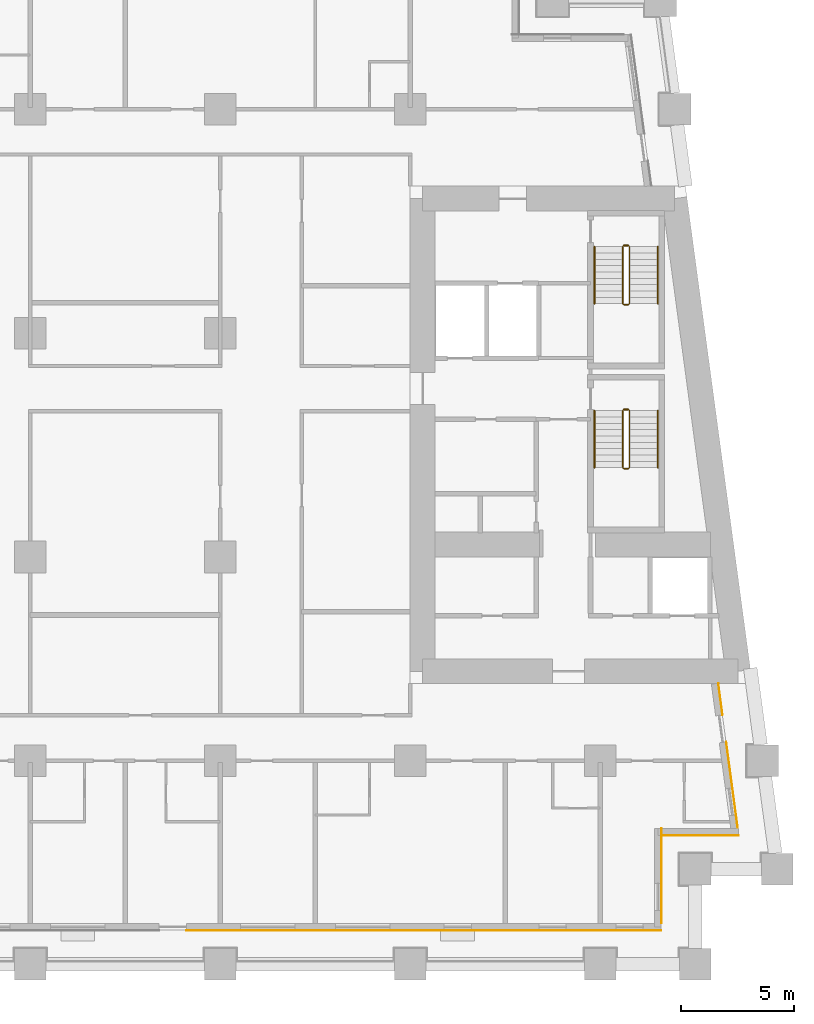
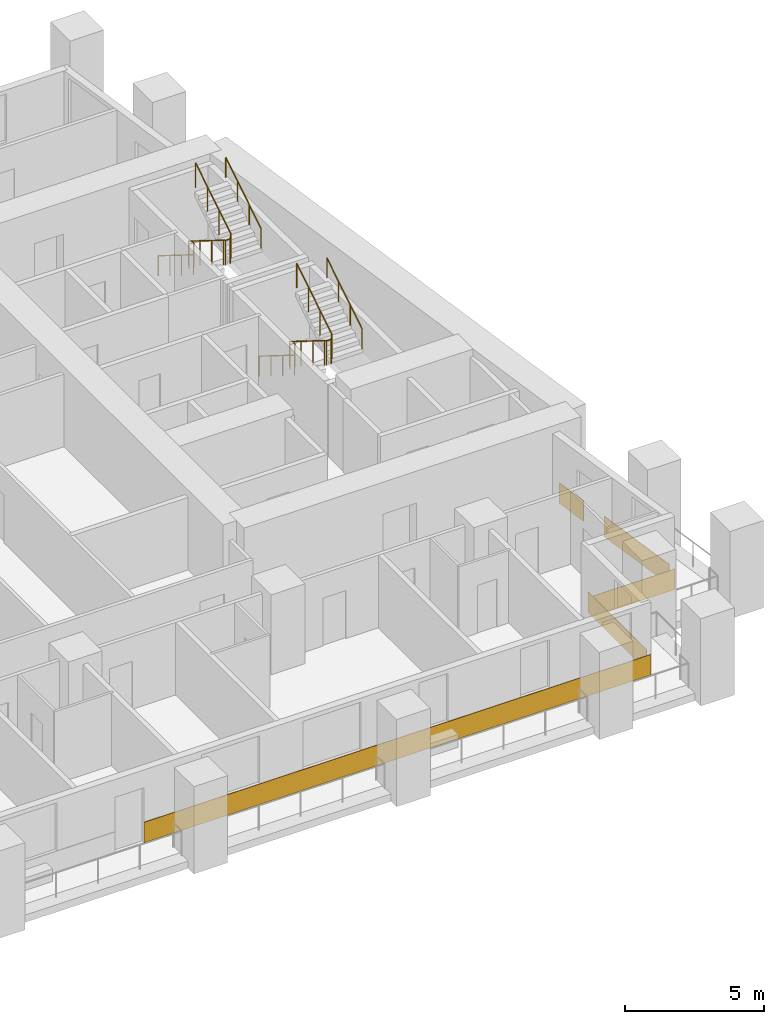
# One storey, part 10 of 12: 8 railings, 5 coverings.
"""IFC4 building model written with IfcOpenShell, lengths in metres."""

from ifc_helpers import new_model, si_unit, direction, frame, origin, origin_2d, place, context, subcontext, project, spatial, rectangle, circle, extrude, material, layer, layer_set, type_object, element, save


model = new_model("IFC4")

# Units and contexts
model_context = context("Model", 3, precision=1e-05, world=origin(), true_north=direction((0.0, 1.0)))
body_context = subcontext(model_context, "Body", "Model", "MODEL_VIEW")
ifc_project = project(units=[si_unit("LENGTHUNIT", "METRE"), si_unit("AREAUNIT", "SQUARE_METRE"), si_unit("VOLUMEUNIT", "CUBIC_METRE"), si_unit("PLANEANGLEUNIT", "RADIAN"), si_unit("MASSUNIT", "GRAM", prefix="KILO")], contexts=[model_context])

# Site, building, storey
site_placement = place(None, origin())
site = spatial("IfcSite", under=ifc_project, at=site_placement, CompositionType="ELEMENT")
building_placement = place(site_placement, origin())
building = spatial("IfcBuilding", under=site, at=building_placement, Name="Candeia Pilgrim Tower and Theatre", CompositionType="ELEMENT")
storey_placement = place(building_placement, frame((0.0, 0.0, 39.0)))
storey = spatial("IfcBuildingStorey", under=building, at=storey_placement, Name="L06", CompositionType="ELEMENT", Elevation=39.0)

# Coverings
ifc_material_1 = material(Name="Glazed ceramic tile deep red")
ifc_layer = layer(ifc_material_1, 0.02001953125)
ifc_layer_set = layer_set([ifc_layer], Name="Glazed ceramic tile deep red")
covering_type = type_object("IfcCoveringType", Name="Glazed ceramic tile deep red", PredefinedType="CLADDING", material=ifc_layer_set)
covering_1_placement = place(storey_placement, frame((126.60009765625, 99.489990234375, 0.0), z_axis=(0.0, 0.0, 1.0), x_axis=(1.0, 0.0, 0.0)))
element("IfcCovering", 1, at=covering_1_placement, inside=storey, type_object=covering_type, Name="Tile cladding deep red L06", PredefinedType="CLADDING", context=body_context, shape_type="SweptSolid", body=[
    extrude(rectangle(XDim=21.0, YDim=0.02001953125, at=origin_2d()), origin(), (0.0, 0.0, 1.0), 0.89990234375),
])
covering_2_placement = place(storey_placement, frame((137.110107421875, 101.909912109375, 0.0), z_axis=(0.0, 0.0, 1.0), x_axis=(0.0, 1.0, 0.0)))
element("IfcCovering", 2, at=covering_2_placement, inside=storey, type_object=covering_type, Name="Tile cladding deep red L06", PredefinedType="CLADDING", context=body_context, shape_type="SweptSolid", body=[
    extrude(rectangle(XDim=4.179931640625, YDim=0.02001953125, at=origin_2d()), origin(), (0.0, 0.0, 1.0), 0.89990234375),
])
covering_3_placement = place(storey_placement, frame((138.819580078125, 103.68994140625, 0.0), z_axis=(0.0, 0.0, 1.0), x_axis=(1.0, 0.0, 0.0)))
element("IfcCovering", 3, at=covering_3_placement, inside=storey, type_object=covering_type, Name="Tile cladding deep red L06", PredefinedType="CLADDING", context=body_context, shape_type="SweptSolid", body=[
    extrude(rectangle(XDim=3.399169921875, YDim=0.02001953125, at=origin_2d()), origin(), (0.0, 0.0, 1.0), 0.89990234375),
])
covering_4_placement = place(storey_placement, frame((140.228515625, 105.933349609375, 0.0), z_axis=(0.0, 0.0, 1.0), x_axis=(-0.133412012145, 0.991060661622, 0.0)))
element("IfcCovering", 4, at=covering_4_placement, inside=storey, type_object=covering_type, Name="Tile cladding deep red L06", PredefinedType="CLADDING", context=body_context, shape_type="SweptSolid", body=[
    extrude(rectangle(XDim=3.821044921875, YDim=0.02001953125, at=origin_2d()), origin(), (0.0, 0.0, 1.0), 0.89990234375),
])
covering_5_placement = place(storey_placement, frame((139.718994140625, 109.71875, 0.0), z_axis=(0.0, 0.0, 1.0), x_axis=(-0.133412012145, 0.991060661622, 0.0)))
element("IfcCovering", 5, at=covering_5_placement, inside=storey, type_object=covering_type, Name="Tile cladding deep red L06", PredefinedType="CLADDING", context=body_context, shape_type="SweptSolid", body=[
    extrude(rectangle(XDim=1.41796875, YDim=0.02001953125, at=origin_2d()), origin(), (0.0, 0.0, 1.0), 0.89990234375),
])

# Railings
ifc_material_2 = material(Name="Stainless steel balustrade", Category="steel")
railing_type_1 = type_object("IfcRailingType", Name="RL-GUARD-1100", PredefinedType="GUARDRAIL", material=ifc_material_2)
railing_1_placement = place(storey_placement, frame((135.39794921875, 122.47509765625, 0.175048828125)))
element("IfcRailing", 6, at=railing_1_placement, inside=storey, type_object=railing_type_1, Name="L06 ST3 stair guard 1", PredefinedType="GUARDRAIL", context=body_context, shape_type="SweptSolid", body=[
    extrude(circle(Radius=0.02392578125, at=origin_2d()), frame((0.0, 0.0, 1.076171875), z_axis=(0.0, -0.848007534815, 0.529984170421), x_axis=(1.0, 0.0, 0.0)), (0.0, 0.0, 1.0), 2.9716796875),
    extrude(circle(Radius=0.02392578125, at=origin_2d()), frame((0.0, -2.52001953125, 2.65087890625), z_axis=(0.707106781187, -0.707106781187, 0.0), x_axis=(0.707106781187, 0.707106781187, 0.0)), (0.0, 0.0, 1.0), 0.07080078125),
    extrude(circle(Radius=0.02392578125, at=origin_2d()), frame((0.050048828125, -2.570068359375, 2.65087890625), z_axis=(1.0, 0.0, 0.0), x_axis=(0.0, 1.0, 0.0)), (0.0, 0.0, 1.0), 0.199951171875),
    extrude(circle(Radius=0.02392578125, at=origin_2d()), frame((0.25, -2.570068359375, 2.65087890625), z_axis=(0.265065253269, 0.265065253269, 0.927081885822), x_axis=(-0.707106781187, 0.707106781187, 0.0)), (0.0, 0.0, 1.0), 0.188720703125),
    extrude(circle(Radius=0.02392578125, at=origin_2d()), frame((0.300048828125, -2.52001953125, 2.826171875), z_axis=(0.0, 0.848007534815, 0.529984170421), x_axis=(-1.0, 0.0, 0.0)), (0.0, 0.0, 1.0), 2.9716796875),
    extrude(circle(Radius=0.02099609375, at=origin_2d()), origin(), (0.0, 0.0, 1.0), 1.052001953125),
    extrude(circle(Radius=0.02099609375, at=origin_2d()), frame((0.0, -0.840087890625, 0.52490234375)), (0.0, 0.0, 1.0), 1.052001953125),
    extrude(circle(Radius=0.02099609375, at=origin_2d()), frame((0.0, -1.679931640625, 1.050048828125)), (0.0, 0.0, 1.0), 1.052001953125),
    extrude(circle(Radius=0.02099609375, at=origin_2d()), frame((0.0, -2.52001953125, 1.574951171875)), (0.0, 0.0, 1.0), 1.052001953125),
    extrude(circle(Radius=0.02099609375, at=origin_2d()), frame((0.050048828125, -2.570068359375, 1.574951171875)), (0.0, 0.0, 1.0), 1.052001953125),
    extrude(circle(Radius=0.02099609375, at=origin_2d()), frame((0.25, -2.570068359375, 1.574951171875)), (0.0, 0.0, 1.0), 1.052001953125),
    extrude(circle(Radius=0.02099609375, at=origin_2d()), frame((0.300048828125, -2.52001953125, 1.75)), (0.0, 0.0, 1.0), 1.052001953125),
    extrude(circle(Radius=0.02099609375, at=origin_2d()), frame((0.300048828125, -1.679931640625, 2.27490234375)), (0.0, 0.0, 1.0), 1.052001953125),
    extrude(circle(Radius=0.02099609375, at=origin_2d()), frame((0.300048828125, -0.840087890625, 2.800048828125)), (0.0, 0.0, 1.0), 1.052001953125),
    extrude(circle(Radius=0.02099609375, at=origin_2d()), frame((0.300048828125, 0.0, 3.324951171875)), (0.0, 0.0, 1.0), 1.052001953125),
])
railing_2_placement = place(storey_placement, frame((135.447998046875, 122.52490234375, 0.0)))
element("IfcRailing", 7, at=railing_2_placement, inside=storey, type_object=railing_type_1, Name="L06 ST3 stair guard 2", PredefinedType="GUARDRAIL", context=body_context, shape_type="SweptSolid", body=[
    extrude(circle(Radius=0.02392578125, at=origin_2d()), frame((0.0, 0.0, 1.076171875), z_axis=(1.0, 0.0, 0.0), x_axis=(0.0, 1.0, 0.0)), (0.0, 0.0, 1.0), 0.199951171875),
    extrude(circle(Radius=0.02099609375, at=origin_2d()), origin(), (0.0, 0.0, 1.0), 1.052001953125),
    extrude(circle(Radius=0.02099609375, at=origin_2d()), frame((0.199951171875, 0.0, 0.0)), (0.0, 0.0, 1.0), 1.052001953125),
])
railing_3_placement = place(storey_placement, frame((135.39794921875, 129.72509765625, 0.175048828125)))
element("IfcRailing", 8, at=railing_3_placement, inside=storey, type_object=railing_type_1, Name="L06 ST4 stair guard 1", PredefinedType="GUARDRAIL", context=body_context, shape_type="SweptSolid", body=[
    extrude(circle(Radius=0.02392578125, at=origin_2d()), frame((0.0, 0.0, 1.076171875), z_axis=(0.0, -0.848007534815, 0.529984170421), x_axis=(1.0, 0.0, 0.0)), (0.0, 0.0, 1.0), 2.9716796875),
    extrude(circle(Radius=0.02392578125, at=origin_2d()), frame((0.0, -2.52001953125, 2.65087890625), z_axis=(0.707106781187, -0.707106781187, 0.0), x_axis=(0.707106781187, 0.707106781187, 0.0)), (0.0, 0.0, 1.0), 0.07080078125),
    extrude(circle(Radius=0.02392578125, at=origin_2d()), frame((0.050048828125, -2.570068359375, 2.65087890625), z_axis=(1.0, 0.0, 0.0), x_axis=(0.0, 1.0, 0.0)), (0.0, 0.0, 1.0), 0.199951171875),
    extrude(circle(Radius=0.02392578125, at=origin_2d()), frame((0.25, -2.570068359375, 2.65087890625), z_axis=(0.265065253269, 0.265065253269, 0.927081885822), x_axis=(-0.707106781187, 0.707106781187, 0.0)), (0.0, 0.0, 1.0), 0.188720703125),
    extrude(circle(Radius=0.02392578125, at=origin_2d()), frame((0.300048828125, -2.52001953125, 2.826171875), z_axis=(0.0, 0.848007534815, 0.529984170421), x_axis=(-1.0, 0.0, 0.0)), (0.0, 0.0, 1.0), 2.9716796875),
    extrude(circle(Radius=0.02099609375, at=origin_2d()), origin(), (0.0, 0.0, 1.0), 1.052001953125),
    extrude(circle(Radius=0.02099609375, at=origin_2d()), frame((0.0, -0.840087890625, 0.52490234375)), (0.0, 0.0, 1.0), 1.052001953125),
    extrude(circle(Radius=0.02099609375, at=origin_2d()), frame((0.0, -1.679931640625, 1.050048828125)), (0.0, 0.0, 1.0), 1.052001953125),
    extrude(circle(Radius=0.02099609375, at=origin_2d()), frame((0.0, -2.52001953125, 1.574951171875)), (0.0, 0.0, 1.0), 1.052001953125),
    extrude(circle(Radius=0.02099609375, at=origin_2d()), frame((0.050048828125, -2.570068359375, 1.574951171875)), (0.0, 0.0, 1.0), 1.052001953125),
    extrude(circle(Radius=0.02099609375, at=origin_2d()), frame((0.25, -2.570068359375, 1.574951171875)), (0.0, 0.0, 1.0), 1.052001953125),
    extrude(circle(Radius=0.02099609375, at=origin_2d()), frame((0.300048828125, -2.52001953125, 1.75)), (0.0, 0.0, 1.0), 1.052001953125),
    extrude(circle(Radius=0.02099609375, at=origin_2d()), frame((0.300048828125, -1.679931640625, 2.27490234375)), (0.0, 0.0, 1.0), 1.052001953125),
    extrude(circle(Radius=0.02099609375, at=origin_2d()), frame((0.300048828125, -0.840087890625, 2.800048828125)), (0.0, 0.0, 1.0), 1.052001953125),
    extrude(circle(Radius=0.02099609375, at=origin_2d()), frame((0.300048828125, 0.0, 3.324951171875)), (0.0, 0.0, 1.0), 1.052001953125),
])
railing_4_placement = place(storey_placement, frame((135.447998046875, 129.77490234375, 0.0)))
element("IfcRailing", 9, at=railing_4_placement, inside=storey, type_object=railing_type_1, Name="L06 ST4 stair guard 2", PredefinedType="GUARDRAIL", context=body_context, shape_type="SweptSolid", body=[
    extrude(circle(Radius=0.02392578125, at=origin_2d()), frame((0.0, 0.0, 1.076171875), z_axis=(1.0, 0.0, 0.0), x_axis=(0.0, 1.0, 0.0)), (0.0, 0.0, 1.0), 0.199951171875),
    extrude(circle(Radius=0.02099609375, at=origin_2d()), origin(), (0.0, 0.0, 1.0), 1.052001953125),
    extrude(circle(Radius=0.02099609375, at=origin_2d()), frame((0.199951171875, 0.0, 0.0)), (0.0, 0.0, 1.0), 1.052001953125),
])
ifc_material_3 = material(Name="Stainless steel handrail", Category="steel")
railing_type_2 = type_object("IfcRailingType", Name="RL-HANDRAIL-900", PredefinedType="HANDRAIL", material=ifc_material_3)
railing_5_placement = place(storey_placement, frame((134.14794921875, 122.47509765625, 0.175048828125)))
element("IfcRailing", 10, at=railing_5_placement, inside=storey, type_object=railing_type_2, Name="L06 ST3 stair handrail 1", PredefinedType="HANDRAIL", context=body_context, shape_type="SweptSolid", body=[
    extrude(circle(Radius=0.02392578125, at=origin_2d()), frame((0.0, 0.0, 0.8759765625), z_axis=(0.0, -0.848007534815, 0.529984170421), x_axis=(1.0, 0.0, 0.0)), (0.0, 0.0, 1.0), 2.9716796875),
    extrude(circle(Radius=0.02099609375, at=origin_2d()), origin(), (0.0, 0.0, 1.0), 0.851806640625),
    extrude(circle(Radius=0.02099609375, at=origin_2d()), frame((0.0, -0.840087890625, 0.52490234375)), (0.0, 0.0, 1.0), 0.851806640625),
    extrude(circle(Radius=0.02099609375, at=origin_2d()), frame((0.0, -1.679931640625, 1.050048828125)), (0.0, 0.0, 1.0), 0.851806640625),
    extrude(circle(Radius=0.02099609375, at=origin_2d()), frame((0.0, -2.52001953125, 1.574951171875)), (0.0, 0.0, 1.0), 0.851806640625),
])
railing_6_placement = place(storey_placement, frame((136.947998046875, 119.955078125, 1.925048828125)))
element("IfcRailing", 11, at=railing_6_placement, inside=storey, type_object=railing_type_2, Name="L06 ST3 stair handrail 2", PredefinedType="HANDRAIL", context=body_context, shape_type="SweptSolid", body=[
    extrude(circle(Radius=0.02392578125, at=origin_2d()), frame((0.0, 0.0, 0.8759765625), z_axis=(0.0, 0.848007534815, 0.529984170421), x_axis=(-1.0, 0.0, 0.0)), (0.0, 0.0, 1.0), 2.9716796875),
    extrude(circle(Radius=0.02099609375, at=origin_2d()), origin(), (0.0, 0.0, 1.0), 0.851806640625),
    extrude(circle(Radius=0.02099609375, at=origin_2d()), frame((0.0, 0.840087890625, 0.52490234375)), (0.0, 0.0, 1.0), 0.851806640625),
    extrude(circle(Radius=0.02099609375, at=origin_2d()), frame((0.0, 1.679931640625, 1.050048828125)), (0.0, 0.0, 1.0), 0.851806640625),
    extrude(circle(Radius=0.02099609375, at=origin_2d()), frame((0.0, 2.52001953125, 1.574951171875)), (0.0, 0.0, 1.0), 0.851806640625),
])
railing_7_placement = place(storey_placement, frame((134.14794921875, 129.72509765625, 0.175048828125)))
element("IfcRailing", 12, at=railing_7_placement, inside=storey, type_object=railing_type_2, Name="L06 ST4 stair handrail 1", PredefinedType="HANDRAIL", context=body_context, shape_type="SweptSolid", body=[
    extrude(circle(Radius=0.02392578125, at=origin_2d()), frame((0.0, 0.0, 0.8759765625), z_axis=(0.0, -0.848007534815, 0.529984170421), x_axis=(1.0, 0.0, 0.0)), (0.0, 0.0, 1.0), 2.9716796875),
    extrude(circle(Radius=0.02099609375, at=origin_2d()), origin(), (0.0, 0.0, 1.0), 0.851806640625),
    extrude(circle(Radius=0.02099609375, at=origin_2d()), frame((0.0, -0.840087890625, 0.52490234375)), (0.0, 0.0, 1.0), 0.851806640625),
    extrude(circle(Radius=0.02099609375, at=origin_2d()), frame((0.0, -1.679931640625, 1.050048828125)), (0.0, 0.0, 1.0), 0.851806640625),
    extrude(circle(Radius=0.02099609375, at=origin_2d()), frame((0.0, -2.52001953125, 1.574951171875)), (0.0, 0.0, 1.0), 0.851806640625),
])
railing_8_placement = place(storey_placement, frame((136.947998046875, 127.205078125, 1.925048828125)))
element("IfcRailing", 13, at=railing_8_placement, inside=storey, type_object=railing_type_2, Name="L06 ST4 stair handrail 2", PredefinedType="HANDRAIL", context=body_context, shape_type="SweptSolid", body=[
    extrude(circle(Radius=0.02392578125, at=origin_2d()), frame((0.0, 0.0, 0.8759765625), z_axis=(0.0, 0.848007534815, 0.529984170421), x_axis=(-1.0, 0.0, 0.0)), (0.0, 0.0, 1.0), 2.9716796875),
    extrude(circle(Radius=0.02099609375, at=origin_2d()), origin(), (0.0, 0.0, 1.0), 0.851806640625),
    extrude(circle(Radius=0.02099609375, at=origin_2d()), frame((0.0, 0.840087890625, 0.52490234375)), (0.0, 0.0, 1.0), 0.851806640625),
    extrude(circle(Radius=0.02099609375, at=origin_2d()), frame((0.0, 1.679931640625, 1.050048828125)), (0.0, 0.0, 1.0), 0.851806640625),
    extrude(circle(Radius=0.02099609375, at=origin_2d()), frame((0.0, 2.52001953125, 1.574951171875)), (0.0, 0.0, 1.0), 0.851806640625),
])

save(model, "model.ifc")
